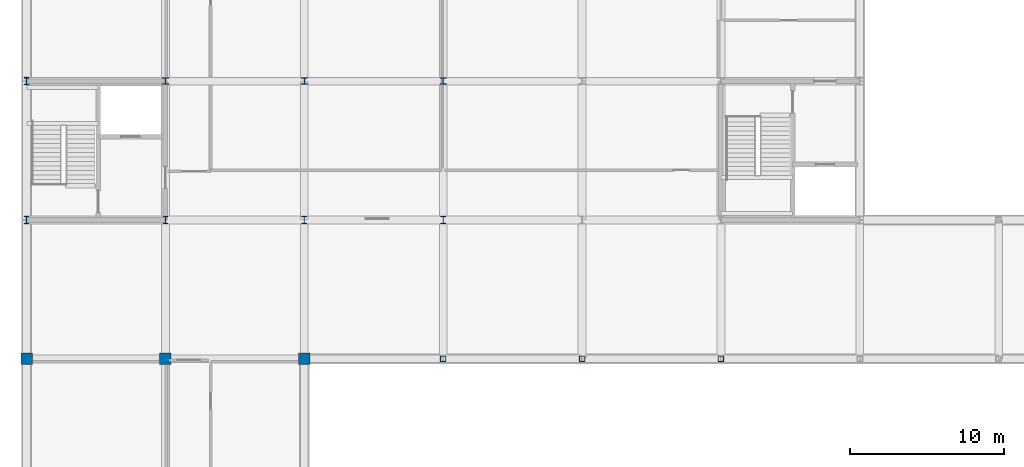
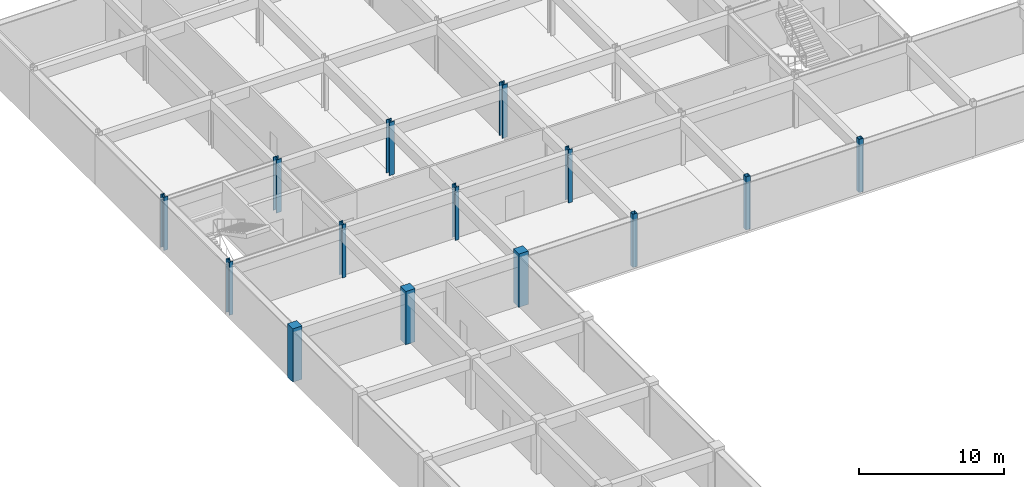
# One storey, part 6 of 35: 14 columns.
"""IFC4 building model written with IfcOpenShell, lengths in metres."""

from ifc_helpers import new_model, si_unit, direction, frame, origin, origin_2d, place, context, subcontext, project, spatial, rectangle, hollow_rectangle, i_section, extrude, material, material_profile, profile_set, type_object, element, save


model = new_model("IFC4")

# Units and contexts
model_context = context("Model", 3, precision=1e-05, world=origin(), true_north=direction((0.0, 1.0)))
body_context = subcontext(model_context, "Body", "Model", "MODEL_VIEW")
ifc_project = project(units=[si_unit("LENGTHUNIT", "METRE"), si_unit("AREAUNIT", "SQUARE_METRE"), si_unit("VOLUMEUNIT", "CUBIC_METRE"), si_unit("PLANEANGLEUNIT", "RADIAN"), si_unit("MASSUNIT", "GRAM", prefix="KILO")], contexts=[model_context])

# Site, building, storey
site_placement = place(None, origin())
site = spatial("IfcSite", under=ifc_project, at=site_placement, CompositionType="ELEMENT")
building_placement = place(site_placement, origin())
building = spatial("IfcBuilding", under=site, at=building_placement, Name="Palais des Congres Ocreval", CompositionType="ELEMENT")
storey_placement = place(building_placement, frame((0.0, 0.0, -4.47998046875)))
storey = spatial("IfcBuildingStorey", under=building, at=storey_placement, Name="B1", CompositionType="ELEMENT", Elevation=-4.47998046875)

# Columns
ifc_material_1 = material(Name="Steel S460", Category="steel")
ifc_material_profile_1 = material_profile(ifc_material_1, i_section(OverallWidth=0.412109375, OverallDepth=0.43505859375, WebThickness=0.027099609375, FlangeThickness=0.0458984375, at=origin_2d()), Name="HD 400x463")
ifc_profile_set_1 = profile_set([ifc_material_profile_1], Name="Steel S460")
column_type_1 = type_object("IfcColumnType", Name="Column HD 400x463 Steel S460", PredefinedType="COLUMN", material=ifc_profile_set_1)
for number, where, z_axis, x_axis, name in (
    (1, (9.0, 90.0, 0.0), (0.0, 0.0, 1.0), (1.0, 0.0, 0.0), "Column C02 B1"),
    (2, (18.0, 90.0, 0.0), (0.0, 0.0, 1.0), (1.0, 0.0, 0.0), "Column C02 B1"),
    (3, (27.0, 90.0, 0.0), (0.0, 0.0, 1.0), (1.0, 0.0, 0.0), "Column C02 B1"),
):
    element("IfcColumn", number, at=place(storey_placement, frame(where, z_axis=z_axis, x_axis=x_axis)), inside=storey, type_object=column_type_1, Name=name, PredefinedType="COLUMN", context=body_context, shape_type="SweptSolid", body=[
        extrude(i_section(OverallWidth=0.412109375, OverallDepth=0.43505859375, WebThickness=0.027099609375, FlangeThickness=0.0458984375, at=origin_2d()), origin(), (0.0, 0.0, 1.0), 4.47998046875),
    ])
ifc_material_2 = material(Name="Steel S355", Category="steel")
ifc_material_profile_2 = material_profile(ifc_material_2, i_section(OverallWidth=0.306884765625, OverallDepth=0.47802734375, WebThickness=0.02099609375, FlangeThickness=0.0400390625, at=origin_2d()), Name="HEM 450")
ifc_profile_set_2 = profile_set([ifc_material_profile_2], Name="Steel S355")
column_type_2 = type_object("IfcColumnType", Name="Column HEM 450 Steel S355", PredefinedType="COLUMN", material=ifc_profile_set_2)
for number, where, z_axis, x_axis, name in (
    (4, (0.0, 81.0, 0.0), (0.0, 0.0, 1.0), (1.0, 0.0, 0.0), "Column C06 B1"),
    (5, (0.0, 90.0, 0.0), (0.0, 0.0, 1.0), (1.0, 0.0, 0.0), "Column C06 B1"),
    (6, (9.0, 81.0, 0.0), (0.0, 0.0, 1.0), (1.0, 0.0, 0.0), "Column C06 B1"),
    (7, (18.0, 81.0, 0.0), (0.0, 0.0, 1.0), (1.0, 0.0, 0.0), "Column C06 B1"),
    (8, (27.0, 81.0, 0.0), (0.0, 0.0, 1.0), (1.0, 0.0, 0.0), "Column C06 B1"),
):
    element("IfcColumn", number, at=place(storey_placement, frame(where, z_axis=z_axis, x_axis=x_axis)), inside=storey, type_object=column_type_2, Name=name, PredefinedType="COLUMN", context=body_context, shape_type="SweptSolid", body=[
        extrude(i_section(OverallWidth=0.306884765625, OverallDepth=0.47802734375, WebThickness=0.02099609375, FlangeThickness=0.0400390625, at=origin_2d()), origin(), (0.0, 0.0, 1.0), 4.47998046875),
    ])
ifc_material_3 = material(Name="Concrete C40/50", Category="concrete")
ifc_material_profile_3 = material_profile(ifc_material_3, rectangle(XDim=0.75, YDim=0.75, at=origin_2d()), Name="RC 750x750")
ifc_profile_set_3 = profile_set([ifc_material_profile_3], Name="Concrete C40/50")
column_type_3 = type_object("IfcColumnType", Name="Column RC 750x750 Concrete C40/50", PredefinedType="COLUMN", material=ifc_profile_set_3)
for number, where, z_axis, x_axis, name in (
    (9, (0.0, 72.0, 0.0), (0.0, 0.0, 1.0), (1.0, 0.0, 0.0), "Column C22 B1"),
    (10, (9.0, 72.0, 0.0), (0.0, 0.0, 1.0), (1.0, 0.0, 0.0), "Column C22 B1"),
    (11, (18.0, 72.0, 0.0), (0.0, 0.0, 1.0), (1.0, 0.0, 0.0), "Column C22 B1"),
):
    element("IfcColumn", number, at=place(storey_placement, frame(where, z_axis=z_axis, x_axis=x_axis)), inside=storey, type_object=column_type_3, Name=name, PredefinedType="COLUMN", context=body_context, shape_type="SweptSolid", body=[
        extrude(rectangle(XDim=0.75, YDim=0.75, at=origin_2d()), origin(), (0.0, 0.0, 1.0), 4.47998046875),
    ])
ifc_material_profile_4 = material_profile(ifc_material_2, hollow_rectangle(XDim=0.35009765625, YDim=0.35009765625, WallThickness=0.01611328125, at=origin_2d()), Name="RHS 350x350x16")
ifc_profile_set_4 = profile_set([ifc_material_profile_4], Name="Steel S355")
column_type_4 = type_object("IfcColumnType", Name="Column RHS 350x350x16 Steel S355", PredefinedType="COLUMN", material=ifc_profile_set_4)
for number, where, z_axis, x_axis, name in (
    (12, (27.0, 72.0, 0.0), (0.0, 0.0, 1.0), (1.0, 0.0, 0.0), "Column C18 B1"),
    (13, (36.0, 72.0, 0.0), (0.0, 0.0, 1.0), (1.0, 0.0, 0.0), "Column C18 B1"),
    (14, (45.0, 72.0, 0.0), (0.0, 0.0, 1.0), (1.0, 0.0, 0.0), "Column C18 B1"),
):
    element("IfcColumn", number, at=place(storey_placement, frame(where, z_axis=z_axis, x_axis=x_axis)), inside=storey, type_object=column_type_4, Name=name, PredefinedType="COLUMN", context=body_context, shape_type="SweptSolid", body=[
        extrude(hollow_rectangle(XDim=0.35009765625, YDim=0.35009765625, WallThickness=0.01611328125, at=origin_2d()), origin(), (0.0, 0.0, 1.0), 4.47998046875),
    ])

save(model, "model.ifc")
